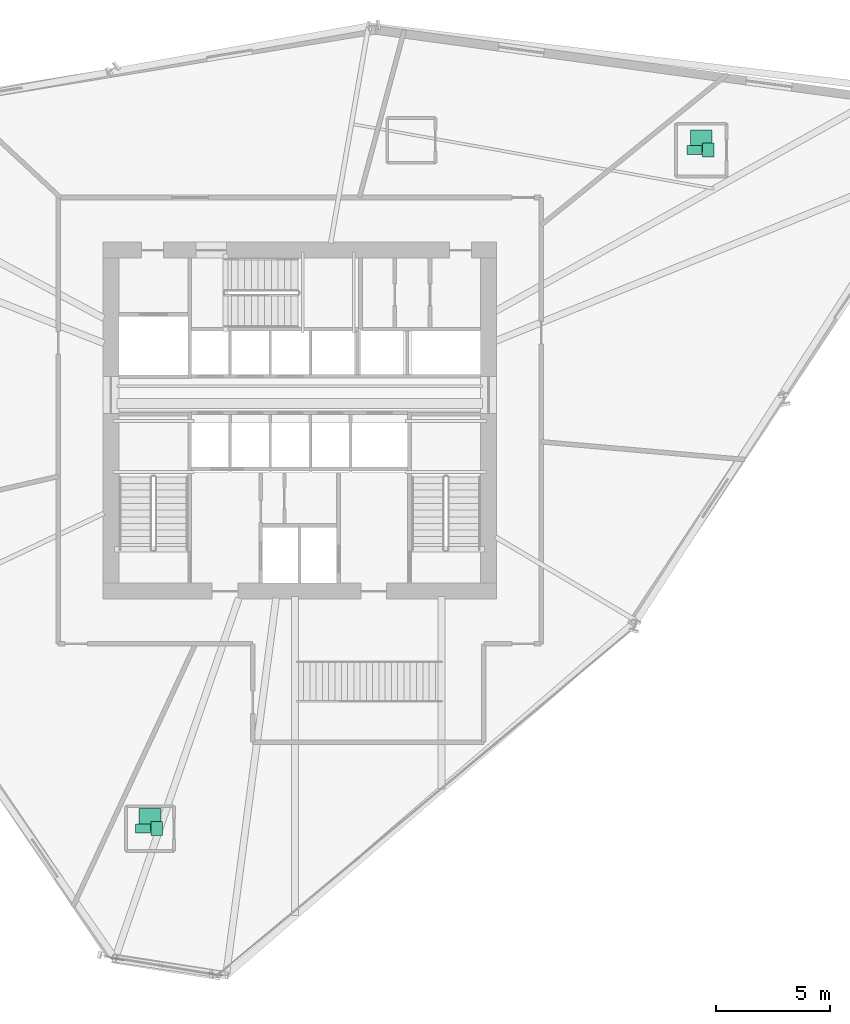
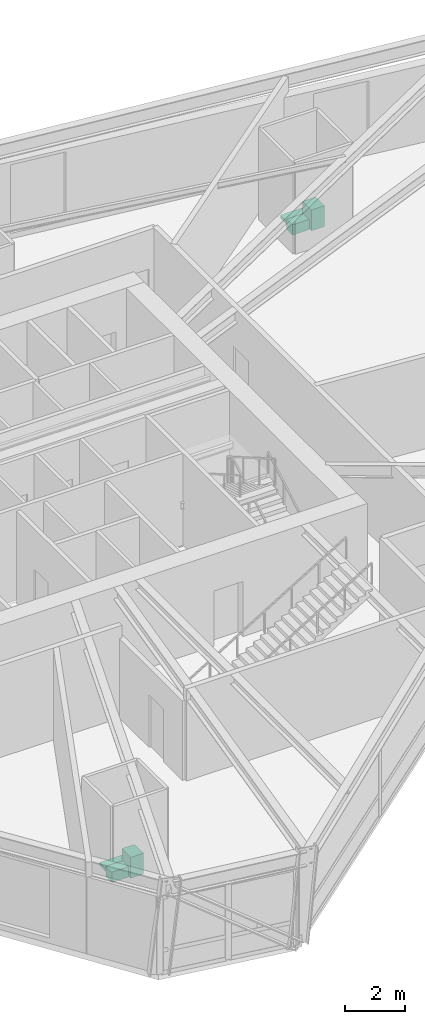
# One storey, part 16 of 16: 6 sanitary terminals.
"""IFC4 building model written with IfcOpenShell, lengths in metres."""

from ifc_helpers import new_model, si_unit, direction, frame, origin, origin_2d, place, context, subcontext, project, spatial, rectangle, extrude, source, transform, mapped, material, type_object, element, save


model = new_model("IFC4")

# Units and contexts
model_context = context("Model", 3, precision=1e-05, world=origin(), true_north=direction((0.0, 1.0)))
body_context = subcontext(model_context, "Body", "Model", "MODEL_VIEW")
ifc_project = project(units=[si_unit("LENGTHUNIT", "METRE"), si_unit("AREAUNIT", "SQUARE_METRE"), si_unit("VOLUMEUNIT", "CUBIC_METRE"), si_unit("PLANEANGLEUNIT", "RADIAN"), si_unit("MASSUNIT", "GRAM", prefix="KILO")], contexts=[model_context])

# Site, building, storey
site_placement = place(None, origin())
site = spatial("IfcSite", under=ifc_project, at=site_placement, CompositionType="ELEMENT")
building_placement = place(site_placement, origin())
building = spatial("IfcBuilding", under=site, at=building_placement, Name="Olszyna Solenne Hotel", CompositionType="ELEMENT")
storey_placement = place(building_placement, frame((0.0, 0.0, 134.10009765625)))
storey = spatial("IfcBuildingStorey", under=building, at=storey_placement, Name="L35", CompositionType="ELEMENT", Elevation=134.10009765625)

# Sanitary terminals
ifc_material = material(Name="Porcelain ceramic")
sanitary_terminal_type_1 = type_object("IfcSanitaryTerminalType", Name="SAN-WC", PredefinedType="TOILETPAN", material=ifc_material)
shared_shape_1 = source(origin(), body_context, "Body", "SweptSolid", [
    extrude(rectangle(XDim=0.64990234375, YDim=0.39990234375, at=origin_2d()), origin(), (0.0, 0.0, 1.0), 0.419921875),
])
for number, where, z_axis, x_axis, name in (
    (1, (31.158935546875, 8.77587890625, 0.0), (0.0, 0.0, 1.0), (1.0, 0.0, 0.0), "Wall-hung WC pan WC-0012"),
    (2, (55.2509765625, 38.423095703125, 0.0), (0.0, 0.0, 1.0), (1.0, 0.0, 0.0), "Wall-hung WC pan WC-0013"),
):
    element("IfcSanitaryTerminal", number, at=place(storey_placement, frame(where, z_axis=z_axis, x_axis=x_axis)), inside=storey, type_object=sanitary_terminal_type_1, Name=name, PredefinedType="TOILETPAN", context=body_context, shape_type="MappedRepresentation", body=[
        mapped(shared_shape_1, transform((0.0, 0.0, 0.0), x_axis=(1.0, 0.0, 0.0), y_axis=(0.0, 1.0, 0.0), z_axis=(0.0, 0.0, 1.0), scale=1.0)),
    ])
sanitary_terminal_type_2 = type_object("IfcSanitaryTerminalType", Name="SAN-BS", PredefinedType="WASHHANDBASIN", material=ifc_material)
shared_shape_2 = source(origin(), body_context, "Body", "SweptSolid", [
    extrude(rectangle(XDim=0.5, YDim=0.60009765625, at=origin_2d()), origin(), (0.0, 0.0, 1.0), 0.85009765625),
])
for number, where, z_axis, x_axis, name in (
    (3, (31.759033203125, 8.77587890625, -0.000244140625), (0.0, 0.0, 1.0), (1.0, 0.0, 0.0), "Vanity washbasin BS-0012"),
    (4, (55.85107421875, 38.423095703125, -0.000244140625), (0.0, 0.0, 1.0), (1.0, 0.0, 0.0), "Vanity washbasin BS-0013"),
):
    element("IfcSanitaryTerminal", number, at=place(storey_placement, frame(where, z_axis=z_axis, x_axis=x_axis)), inside=storey, type_object=sanitary_terminal_type_2, Name=name, PredefinedType="WASHHANDBASIN", context=body_context, shape_type="MappedRepresentation", body=[
        mapped(shared_shape_2, transform((0.0, 0.0, 0.0), x_axis=(1.0, 0.0, 0.0), y_axis=(0.0, 1.0, 0.0), z_axis=(0.0, 0.0, 1.0), scale=1.0)),
    ])
sanitary_terminal_type_3 = type_object("IfcSanitaryTerminalType", Name="SAN-SH", PredefinedType="SHOWER", material=ifc_material)
shared_shape_3 = source(origin(), body_context, "Body", "SweptSolid", [
    extrude(rectangle(XDim=0.949951171875, YDim=0.949951171875, at=origin_2d()), origin(), (0.0, 0.0, 1.0), 0.1201171875),
])
for number, where, z_axis, x_axis, name in (
    (5, (31.458984375, 9.176025390625, -0.000244140625), (0.0, 0.0, 1.0), (1.0, 0.0, 0.0), "Walk-in shower tray SH-0012"),
    (6, (55.551025390625, 38.822998046875, -0.000244140625), (0.0, 0.0, 1.0), (1.0, 0.0, 0.0), "Walk-in shower tray SH-0013"),
):
    element("IfcSanitaryTerminal", number, at=place(storey_placement, frame(where, z_axis=z_axis, x_axis=x_axis)), inside=storey, type_object=sanitary_terminal_type_3, Name=name, PredefinedType="SHOWER", context=body_context, shape_type="MappedRepresentation", body=[
        mapped(shared_shape_3, transform((0.0, 0.0, 0.0), x_axis=(1.0, 0.0, 0.0), y_axis=(0.0, 1.0, 0.0), z_axis=(0.0, 0.0, 1.0), scale=1.0)),
    ])

save(model, "model.ifc")
